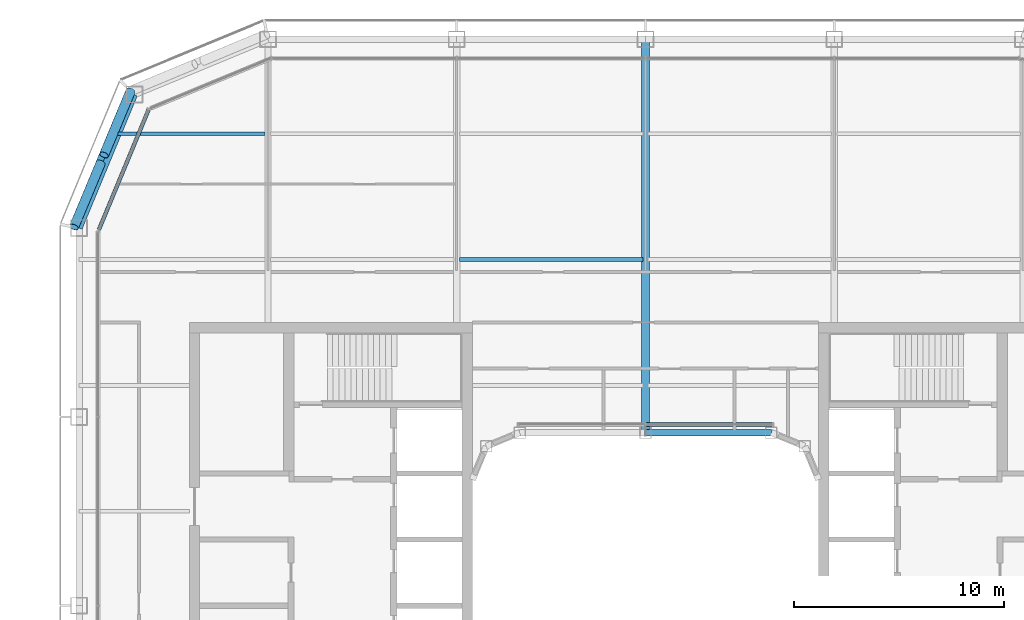
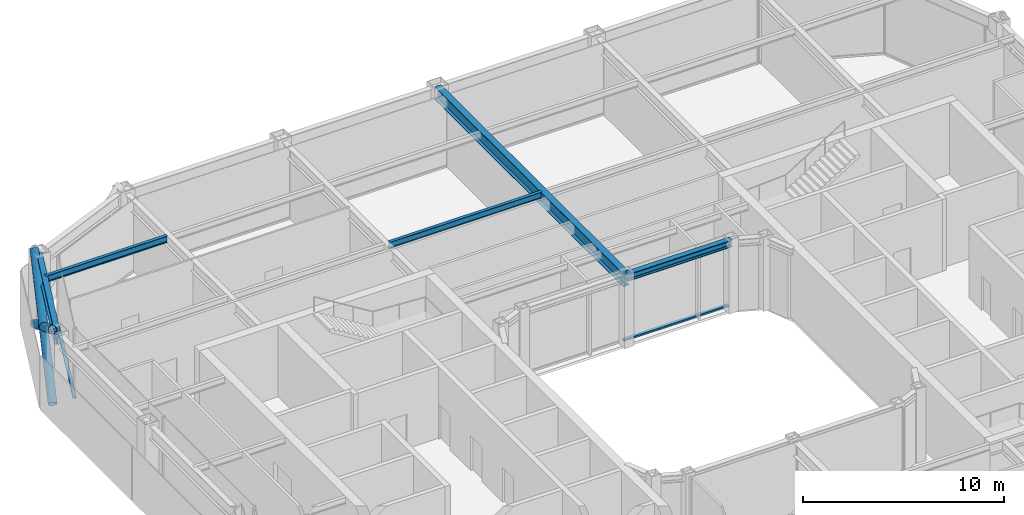
# One storey, part 7 of 23: 5 beams, 5 members, 2 elements without a shape of their own.
"""IFC4 building model written with IfcOpenShell, lengths in metres."""

from ifc_helpers import new_model, si_unit, direction, frame, origin, origin_2d, place, context, subcontext, project, spatial, rectangle, hollow_circle, i_section, extrude, material, layer, layer_set, material_profile, profile_set, type_object, element, aggregate, save


model = new_model("IFC4")

# Units and contexts
model_context = context("Model", 3, precision=1e-05, world=origin(), true_north=direction((0.0, 1.0)))
body_context = subcontext(model_context, "Body", "Model", "MODEL_VIEW")
ifc_project = project(units=[si_unit("LENGTHUNIT", "METRE"), si_unit("AREAUNIT", "SQUARE_METRE"), si_unit("VOLUMEUNIT", "CUBIC_METRE"), si_unit("PLANEANGLEUNIT", "RADIAN"), si_unit("MASSUNIT", "GRAM", prefix="KILO")], contexts=[model_context])

# Site, building, storey
site_placement = place(None, origin())
site = spatial("IfcSite", under=ifc_project, at=site_placement, CompositionType="ELEMENT")
building_placement = place(site_placement, origin())
building = spatial("IfcBuilding", under=site, at=building_placement, Name="Siwar Civic Tower", CompositionType="ELEMENT")
storey_placement = place(building_placement, frame((0.0, 0.0, 251.199951171875)))
storey = spatial("IfcBuildingStorey", under=building, at=storey_placement, Name="L54", CompositionType="ELEMENT", Elevation=251.199951171875)

# Curtain wall, member
ifc_material_1 = material(Name="Aluminium clad insulated panel", Category="aluminium")
ifc_layer_1 = layer(ifc_material_1, 0.179931640625)
ifc_layer_set_1 = layer_set([ifc_layer_1], Name="Aluminium clad insulated panel")
curtain_wall_type_1 = type_object("IfcCurtainWallType", Name="ENV-CW-CX", PredefinedType="NOTDEFINED", material=ifc_layer_set_1)
curtain_wall_1_placement = place(storey_placement, origin())
curtain_wall_1 = element("IfcCurtainWall", 1, at=curtain_wall_1_placement, inside=storey, type_object=curtain_wall_type_1, Name="Curtain wall C NW2", PredefinedType="NOTDEFINED")
ifc_material_2 = material(Name="Aluminium 6063-T6", Category="aluminium")
ifc_material_profile_1 = material_profile(ifc_material_2, rectangle(XDim=0.179931640625, YDim=0.10009765625, at=origin_2d()), Name="AL 180x100")
ifc_profile_set_1 = profile_set([ifc_material_profile_1], Name="Aluminium 6063-T6")
member_type_1 = type_object("IfcMemberType", Name="ENV-TRANSOM-C", PredefinedType="USERDEFINED", material=ifc_profile_set_1)
member_1_placement = place(storey_placement, frame((-23.6865234375, 23.6474609375, 0.050048828125), z_axis=(-0.382691366456, -0.923876246063, 0.0), x_axis=(0.923876246063, -0.382691366456, 0.0)))
member_1 = element("IfcMember", 2, at=member_1_placement, type_object=member_type_1, Name="Transom C NW2 1", ObjectType="TRANSOM", PredefinedType="USERDEFINED", context=body_context, shape_type="SweptSolid", body=[
    extrude(rectangle(XDim=0.179931640625, YDim=0.10009765625, at=origin_2d()), origin(), (0.0, 0.0, 1.0), 6.20166015625),
])
aggregate(curtain_wall_1, [member_1])

ifc_material_3 = material(Name="Aluminium and glass", Category="aluminium")
ifc_layer_2 = layer(ifc_material_3, 0.179931640625)
ifc_layer_set_2 = layer_set([ifc_layer_2], Name="Aluminium and glass")
curtain_wall_type_2 = type_object("IfcCurtainWallType", Name="ENV-CW-W", PredefinedType="NOTDEFINED", material=ifc_layer_set_2)
curtain_wall_2_placement = place(storey_placement, origin())
curtain_wall_2 = element("IfcCurtainWall", 3, at=curtain_wall_2_placement, inside=storey, type_object=curtain_wall_type_2, Name="Curtain wall W WN", PredefinedType="NOTDEFINED")
ifc_material_4 = material(Name="Aluminium 6063-T6", Category="aluminium")
ifc_material_profile_2 = material_profile(ifc_material_4, rectangle(XDim=0.179931640625, YDim=0.10009765625, at=origin_2d()), Name="AL 180x100")
ifc_profile_set_2 = profile_set([ifc_material_profile_2], Name="Aluminium 6063-T6")
member_type_2 = type_object("IfcMemberType", Name="ENV-TRANSOM-W", PredefinedType="USERDEFINED", material=ifc_profile_set_2)
member_2_placement = place(storey_placement, frame((6.046630859375, 8.635009765625, 0.050048828125), z_axis=(-1.0, 0.0, 0.0), x_axis=(0.0, -1.0, 0.0)))
member_2 = element("IfcMember", 4, at=member_2_placement, type_object=member_type_2, Name="Transom W WN 1", ObjectType="TRANSOM", PredefinedType="USERDEFINED", context=body_context, shape_type="SweptSolid", body=[
    extrude(rectangle(XDim=0.179931640625, YDim=0.10009765625, at=origin_2d()), origin(), (0.0, 0.0, 1.0), 6.0166015625),
])
aggregate(curtain_wall_2, [member_2])

# Members
ifc_material_5 = material(Name="Steel S355", Category="steel")
ifc_material_profile_3 = material_profile(ifc_material_5, hollow_circle(Radius=0.228515625, WallThickness=0.02001953125, at=origin_2d()), Name="CHS457x20")
ifc_profile_set_3 = profile_set([ifc_material_profile_3], Name="Steel S355")
member_type_3 = type_object("IfcMemberType", Name="STR-BR-CHS457x20", PredefinedType="BRACE", material=ifc_profile_set_3)
member_3_placement = place(storey_placement, frame((-27.2451171875, 18.048828125, 0.0), z_axis=(0.323905527954, 0.777554562952, 0.538975055633), x_axis=(-0.923108759191, 0.384538969033, 0.0)))
element("IfcMember", 5, at=member_3_placement, inside=storey, type_object=member_type_3, Name="L54/brc/CNW1-14-0-1", PredefinedType="BRACE", context=body_context, shape_type="SweptSolid", body=[
    extrude(hollow_circle(Radius=0.228515625, WallThickness=0.02001953125, at=origin_2d()), origin(), (0.0, 0.0, 1.0), 8.34912109375),
])
for number, where, z_axis, x_axis, name in (
    (6, (-24.540771484375, 24.540771484375, 0.0), (-0.323884455881, -0.777546448489, 0.538999424564), (0.92311621485, -0.38452107079, 0.0), "L54/brc/CNW1-14-0-2"),
    (7, (-25.972900390625, 21.10302734375, 2.383056640625), (-0.323895306243, -0.777572496853, 0.538955325357), (0.92311621485, -0.38452107079, 0.0), "L54/brc/CNW1-14-0-3"),
):
    element("IfcMember", number, at=place(storey_placement, frame(where, z_axis=z_axis, x_axis=x_axis)), inside=storey, type_object=member_type_3, Name=name, PredefinedType="BRACE", context=body_context, shape_type="SweptSolid", body=[
        extrude(hollow_circle(Radius=0.228515625, WallThickness=0.02001953125, at=origin_2d()), origin(), (0.0, 0.0, 1.0), 3.927978515625),
    ])

# Beams
ifc_material_6 = material(Name="Steel S355", Category="steel")
ifc_material_profile_4 = material_profile(ifc_material_6, i_section(OverallWidth=0.179931640625, OverallDepth=0.39990234375, WebThickness=0.008544921875, FlangeThickness=0.013427734375, FilletRadius=0.02099609375, at=origin_2d()), Name="IPE400")
ifc_profile_set_4 = profile_set([ifc_material_profile_4], Name="Steel S355")
beam_type_1 = type_object("IfcBeamType", Name="STR-FB-IPE400", PredefinedType="JOIST", material=ifc_profile_set_4)
beam_1_placement = place(storey_placement, frame((-8.8701171875, 16.5, 4.150146484375), z_axis=(1.0, 0.0, 0.0), x_axis=(0.0, 1.0, 0.0)))
element("IfcBeam", 8, at=beam_1_placement, inside=storey, type_object=beam_type_1, Name="L54/bm/F033", PredefinedType="JOIST", context=body_context, shape_type="SweptSolid", body=[
    extrude(i_section(OverallWidth=0.179931640625, OverallDepth=0.39990234375, WebThickness=0.008544921875, FlangeThickness=0.013427734375, FilletRadius=0.02099609375, at=origin_2d()), origin(), (0.0, 0.0, 1.0), 8.740234375),
])
beam_2_placement = place(storey_placement, frame((-25.135986328125, 22.5, 4.150146484375), z_axis=(1.0, 0.0, 0.0), x_axis=(0.0, 1.0, 0.0)))
element("IfcBeam", 9, at=beam_2_placement, inside=storey, type_object=beam_type_1, Name="L54/bm/F037", PredefinedType="JOIST", context=body_context, shape_type="SweptSolid", body=[
    extrude(i_section(OverallWidth=0.179931640625, OverallDepth=0.39990234375, WebThickness=0.008544921875, FlangeThickness=0.013427734375, FilletRadius=0.02099609375, at=origin_2d()), origin(), (0.0, 0.0, 1.0), 7.006103515625),
])
ifc_material_7 = material(Name="Steel S355", Category="steel")
ifc_material_profile_5 = material_profile(ifc_material_7, i_section(OverallWidth=0.360107421875, OverallDepth=0.800048828125, WebThickness=0.013916015625, FlangeThickness=0.031982421875, at=origin_2d()), Name="PG800x360x14x32")
ifc_profile_set_5 = profile_set([ifc_material_profile_5], Name="Steel S355")
beam_type_2 = type_object("IfcBeamType", Name="STR-PG-PG800x360x14x32", PredefinedType="BEAM", material=ifc_profile_set_5)
beam_3_placement = place(storey_placement, frame((0.0, 8.25, 3.949951171875), z_axis=(0.0, 1.0, 0.0), x_axis=(-1.0, 0.0, 0.0)))
element("IfcBeam", 10, at=beam_3_placement, inside=storey, type_object=beam_type_2, Name="L54/bm/G06", PredefinedType="BEAM", context=body_context, shape_type="SweptSolid", body=[
    extrude(i_section(OverallWidth=0.360107421875, OverallDepth=0.800048828125, WebThickness=0.013916015625, FlangeThickness=0.031982421875, at=origin_2d()), origin(), (0.0, 0.0, 1.0), 18.75),
])
ifc_material_8 = material(Name="Steel S355", Category="steel")
ifc_material_profile_6 = material_profile(ifc_material_8, i_section(OverallWidth=0.306884765625, OverallDepth=0.431884765625, WebThickness=0.02099609375, FlangeThickness=0.0400390625, FilletRadius=0.027099609375, at=origin_2d()), Name="HEM400")
ifc_profile_set_6 = profile_set([ifc_material_profile_6], Name="Steel S355")
beam_type_3 = type_object("IfcBeamType", Name="STR-RB-HEM400", PredefinedType="BEAM", material=ifc_profile_set_6)
beam_4_placement = place(storey_placement, frame((0.0, 8.25, 4.134033203125), z_axis=(1.0, 0.0, 0.0), x_axis=(0.0, 1.0, 0.0)))
element("IfcBeam", 11, at=beam_4_placement, inside=storey, type_object=beam_type_3, Name="L54/bm/RN2", PredefinedType="BEAM", context=body_context, shape_type="SweptSolid", body=[
    extrude(i_section(OverallWidth=0.306884765625, OverallDepth=0.431884765625, WebThickness=0.02099609375, FlangeThickness=0.0400390625, FilletRadius=0.027099609375, at=origin_2d()), origin(), (0.0, 0.0, 1.0), 6.0),
])
ifc_material_9 = material(Name="Steel S355", Category="steel")
ifc_material_profile_7 = material_profile(ifc_material_9, i_section(OverallWidth=0.300048828125, OverallDepth=0.800048828125, WebThickness=0.017578125, FlangeThickness=0.032958984375, FilletRadius=0.030029296875, at=origin_2d()), Name="HEB800")
ifc_profile_set_7 = profile_set([ifc_material_profile_7], Name="Steel S355")
beam_type_4 = type_object("IfcBeamType", Name="STR-SB-HEB800", PredefinedType="BEAM", material=ifc_profile_set_7)
beam_5_placement = place(storey_placement, frame((-24.364013671875, 24.364013671875, 3.949951171875), z_axis=(-0.382674207535, -0.923883353507, 0.0), x_axis=(0.923883353507, -0.382674207535, 0.0)))
element("IfcBeam", 12, at=beam_5_placement, inside=storey, type_object=beam_type_4, Name="L54/bm/SNW2-0", PredefinedType="BEAM", context=body_context, shape_type="SweptSolid", body=[
    extrude(i_section(OverallWidth=0.300048828125, OverallDepth=0.800048828125, WebThickness=0.017578125, FlangeThickness=0.032958984375, FilletRadius=0.030029296875, at=origin_2d()), origin(), (0.0, 0.0, 1.0), 6.888427734375),
])

save(model, "model.ifc")
